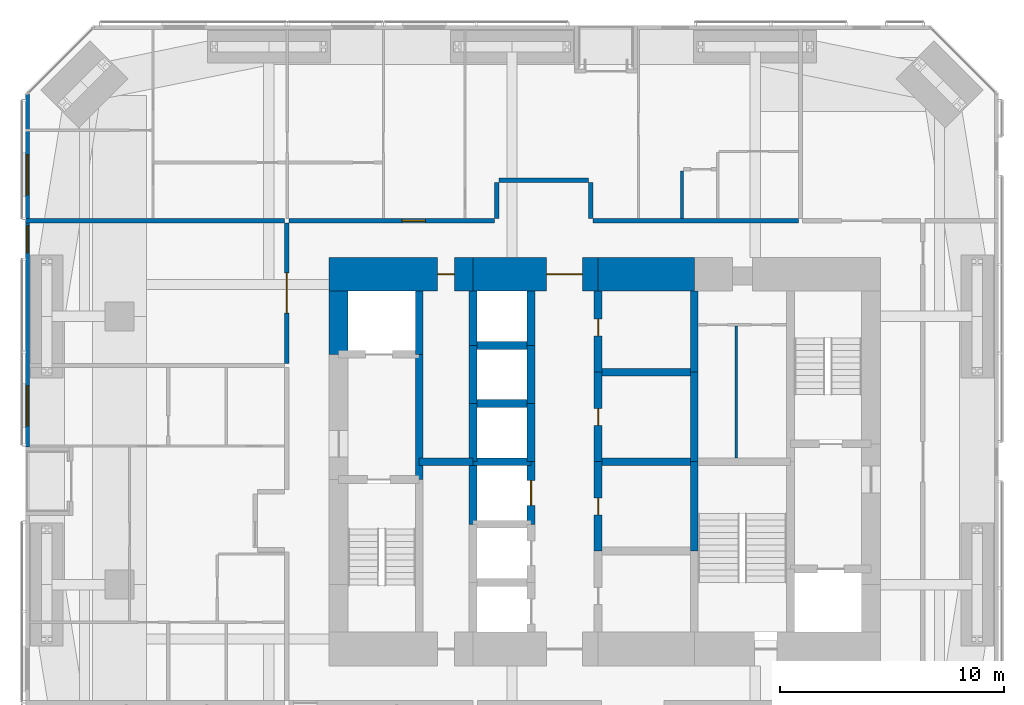
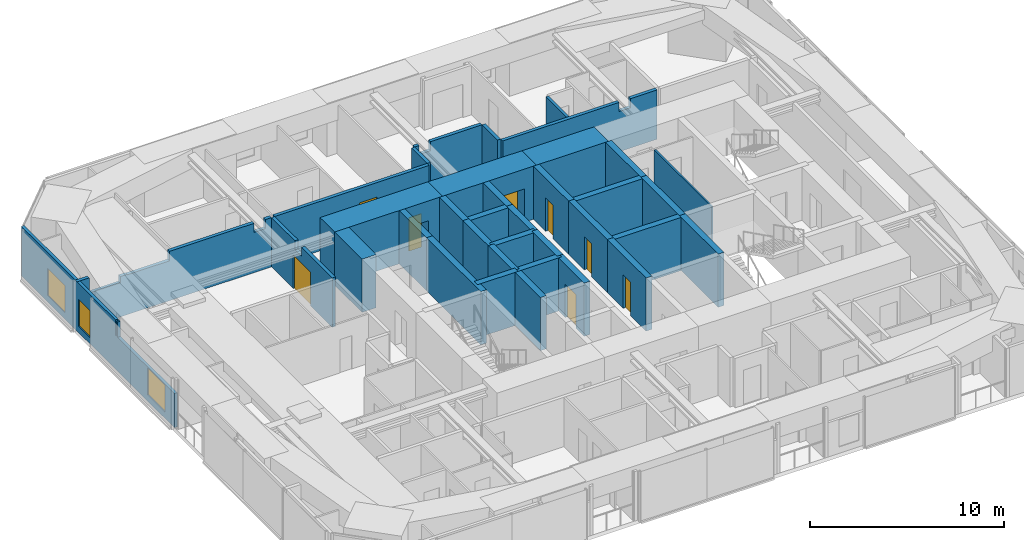
# One storey, part 19 of 23: 36 walls, 8 doors, 3 windows, 11 openings.
"""IFC4 building model written with IfcOpenShell, lengths in metres."""

from ifc_helpers import new_model, si_unit, direction, frame, frame_2d, origin, place, context, subcontext, project, spatial, polyline, rectangle, outline, extrude, material, layer, layer_set, constituent, constituent_set, type_object, element, fill, save


model = new_model("IFC4")

# Units and contexts
model_context = context("Model", 3, precision=1e-05, world=origin(), true_north=direction((0.0, 1.0)))
body_context = subcontext(model_context, "Body", "Model", "MODEL_VIEW")
ifc_project = project(units=[si_unit("LENGTHUNIT", "METRE"), si_unit("AREAUNIT", "SQUARE_METRE"), si_unit("VOLUMEUNIT", "CUBIC_METRE"), si_unit("PLANEANGLEUNIT", "RADIAN"), si_unit("MASSUNIT", "GRAM", prefix="KILO")], contexts=[model_context])

# Site, building, storey
site_placement = place(None, origin())
site = spatial("IfcSite", under=ifc_project, at=site_placement, CompositionType="ELEMENT")
building_placement = place(site_placement, origin())
building = spatial("IfcBuilding", under=site, at=building_placement, Name="Jalousie Tower", CompositionType="ELEMENT")
storey_placement = place(building_placement, frame((0.0, 0.0, 108.199951171875)))
storey = spatial("IfcBuildingStorey", under=building, at=storey_placement, Name="L29", CompositionType="ELEMENT", Elevation=108.199951171875)

# Walls
ifc_material_1 = material(Name="Concrete block ASTM C90", Category="concrete")
ifc_constituent_1 = constituent(ifc_material_1, Name="Body")
ifc_material_2 = material(Name="Render")
ifc_constituent_2 = constituent(ifc_material_2, Name="Finish")
ifc_constituent_set_1 = constituent_set(constituents=[ifc_constituent_1, ifc_constituent_2])
wall_type_1 = type_object("IfcWallType", Name="BATHROOM WALL 150", PredefinedType="PLUMBINGWALL", material=ifc_constituent_set_1)
wall_1_placement = place(storey_placement, frame((35.35009765625, 31.5, 0.0), z_axis=(0.0, 0.0, 1.0), x_axis=(0.0, -1.0, 0.0)))
element("IfcWall", 1, at=wall_1_placement, inside=storey, type_object=wall_type_1, Name="Bathroom Wall 150 L29", PredefinedType="PLUMBINGWALL", context=body_context, shape_type="SweptSolid", body=[
    extrude(rectangle(XDim=2.125, YDim=0.14990234375, at=frame_2d((1.0625, 0.0))), origin(), (0.0, 0.0, 1.0), 3.110107421875),
])
ifc_material_3 = material(Name="Concrete f'c 120 MPa", Category="concrete")
ifc_layer_1 = layer(ifc_material_3, 1.5)
ifc_layer_set_1 = layer_set([ifc_layer_1], Name="Concrete f'c 120 MPa")
wall_type_2 = type_object("IfcWallType", Name="CORE WALL 1500", PredefinedType="SHEAR", material=ifc_layer_set_1)
wall_2_placement = place(storey_placement, frame((35.89990234375, 26.875, 0.0), z_axis=(0.0, 0.0, 1.0), x_axis=(-1.0, 0.0, 0.0)))
element("IfcWall", 2, at=wall_2_placement, inside=storey, type_object=wall_type_2, Name="Core wall NB L29", PredefinedType="SHEAR", context=body_context, shape_type="SweptSolid", body=[
    extrude(rectangle(XDim=4.2998046875, YDim=1.5, at=frame_2d((2.14990234375, 0.0))), origin(), (0.0, 0.0, 1.0), 3.35009765625),
])

# Wall, opening, door
wall_3_placement = place(storey_placement, frame((31.60009765625, 26.875, 0.0), z_axis=(0.0, 0.0, 1.0), x_axis=(-1.0, 0.0, 0.0)))
wall_3 = element("IfcWall", 3, at=wall_3_placement, inside=storey, type_object=wall_type_2, Name="Core wall NC L29", PredefinedType="SHEAR", context=body_context, shape_type="SweptSolid", body=[
    extrude(rectangle(XDim=5.60009765625, YDim=1.5, at=frame_2d((2.800048828125, 0.0))), origin(), (0.0, 0.0, 1.0), 3.35009765625),
])
opening_1_placement = place(wall_3_placement, frame((0.699951171875, 0.0, 0.0)))
opening_1 = element("IfcOpeningElement", 4, at=opening_1_placement, cuts=wall_3, Name="Opening D15", PredefinedType="OPENING", context=body_context, shape_type="SweptSolid", body=[
    extrude(rectangle(XDim=1.60009765625, YDim=2.10009765625, at=frame_2d((0.800048828125, 1.050048828125))), frame((0.0, 0.760009765625, 0.0), z_axis=(0.0, -1.0, 0.0), x_axis=(1.0, 0.0, 0.0)), (0.0, 0.0, 1.0), 1.52001953125),
])
ifc_material_4 = material(Name="Steel fire door", Category="steel")
door_type_1 = type_object("IfcDoorType", Name="LIFT LOBBY DOOR 1600", OperationType="DOUBLE_DOOR_SINGLE_SWING", PredefinedType="DOOR", material=ifc_material_4)
door_1_placement = place(opening_1_placement, origin())
door_1 = element("IfcDoor", 5, at=door_1_placement, inside=storey, type_object=door_type_1, Name="Lift lobby north door", OperationType="DOUBLE_DOOR_SINGLE_SWING", OverallHeight=2.10009765625, OverallWidth=1.60009765625, PredefinedType="DOOR", context=body_context, shape_type="SweptSolid", body=[
    extrude(rectangle(XDim=1.60009765625, YDim=2.10009765625, at=frame_2d((0.800048828125, 1.050048828125))), frame((0.0, 0.02490234375, 0.0), z_axis=(0.0, -1.0, 0.0), x_axis=(1.0, 0.0, 0.0)), (0.0, 0.0, 1.0), 0.050048828125),
])
fill(opening_1, door_1)

wall_4_placement = place(storey_placement, frame((26.0, 26.875, 0.0), z_axis=(0.0, 0.0, 1.0), x_axis=(-1.0, 0.0, 0.0)))
wall_4 = element("IfcWall", 6, at=wall_4_placement, inside=storey, type_object=wall_type_2, Name="Core wall ND L29", PredefinedType="SHEAR", context=body_context, shape_type="SweptSolid", body=[
    extrude(rectangle(XDim=6.425048828125, YDim=1.5, at=frame_2d((3.21240234375, 0.0))), origin(), (0.0, 0.0, 1.0), 3.35009765625),
])
opening_2_placement = place(wall_4_placement, frame((0.824951171875, 0.0, 0.0)))
opening_2 = element("IfcOpeningElement", 7, at=opening_2_placement, cuts=wall_4, Name="Opening D16", PredefinedType="OPENING", context=body_context, shape_type="SweptSolid", body=[
    extrude(rectangle(XDim=0.75, YDim=2.10009765625, at=frame_2d((0.375, 1.050048828125))), frame((0.0, 0.760009765625, 0.0), z_axis=(0.0, -1.0, 0.0), x_axis=(1.0, 0.0, 0.0)), (0.0, 0.0, 1.0), 1.52001953125),
])
ifc_material_5 = material(Name="Steel fire door", Category="steel")
door_type_2 = type_object("IfcDoorType", Name="RISER DOOR 750", OperationType="SINGLE_SWING_LEFT", PredefinedType="DOOR", material=ifc_material_5)
door_2_placement = place(opening_2_placement, origin())
door_2 = element("IfcDoor", 8, at=door_2_placement, inside=storey, type_object=door_type_2, Name="North riser door", OperationType="SINGLE_SWING_RIGHT", OverallHeight=2.10009765625, OverallWidth=0.75, PredefinedType="DOOR", context=body_context, shape_type="SweptSolid", body=[
    extrude(rectangle(XDim=0.75, YDim=2.10009765625, at=frame_2d((0.375, 1.050048828125))), frame((0.0, 0.02490234375, 0.0), z_axis=(0.0, -1.0, 0.0), x_axis=(1.0, 0.0, 0.0)), (0.0, 0.0, 1.0), 0.050048828125),
])
fill(opening_2, door_2)

# Walls
ifc_material_6 = material(Name="Concrete f'c 120 MPa", Category="concrete")
ifc_layer_2 = layer(ifc_material_6, 0.35009765625)
ifc_layer_set_2 = layer_set([ifc_layer_2], Name="Concrete f'c 120 MPa")
wall_type_3 = type_object("IfcWallType", Name="CORE WALL 350", PredefinedType="SHEAR", material=ifc_layer_set_2)
wall_5_placement = place(storey_placement, frame((23.60009765625, 17.699951171875, 0.0), z_axis=(0.0, 0.0, 1.0), x_axis=(0.0, 1.0, 0.0)))
element("IfcWall", 9, at=wall_5_placement, inside=storey, type_object=wall_type_3, Name="Core wall X23.6B L29", PredefinedType="SHEAR", context=body_context, shape_type="SweptSolid", body=[
    extrude(rectangle(XDim=5.60009765625, YDim=0.35009765625, at=frame_2d((2.800048828125, 0.0))), origin(), (0.0, 0.0, 1.0), 3.35009765625),
])
wall_6_placement = place(storey_placement, frame((23.60009765625, 23.300048828125, 0.0), z_axis=(0.0, 0.0, 1.0), x_axis=(0.0, 1.0, 0.0)))
element("IfcWall", 10, at=wall_6_placement, inside=storey, type_object=wall_type_3, Name="Core wall X23.6C L29", PredefinedType="SHEAR", context=body_context, shape_type="SweptSolid", body=[
    extrude(rectangle(XDim=2.824951171875, YDim=0.35009765625, at=frame_2d((1.41259765625, 0.0))), origin(), (0.0, 0.0, 1.0), 3.35009765625),
])
wall_7_placement = place(storey_placement, frame((26.0, 15.699951171875, 0.0), z_axis=(0.0, 0.0, 1.0), x_axis=(0.0, 1.0, 0.0)))
element("IfcWall", 11, at=wall_7_placement, inside=storey, type_object=wall_type_3, Name="Core wall X26C L29", PredefinedType="SHEAR", context=body_context, shape_type="SweptSolid", body=[
    extrude(rectangle(XDim=2.800048828125, YDim=0.35009765625, at=frame_2d((1.39990234375, 0.0))), origin(), (0.0, 0.0, 1.0), 3.35009765625),
])
wall_8_placement = place(storey_placement, frame((26.0, 18.5, 0.0), z_axis=(0.0, 0.0, 1.0), x_axis=(0.0, 1.0, 0.0)))
element("IfcWall", 12, at=wall_8_placement, inside=storey, type_object=wall_type_3, Name="Core wall X26D L29", PredefinedType="SHEAR", context=body_context, shape_type="SweptSolid", body=[
    extrude(rectangle(XDim=2.60009765625, YDim=0.35009765625, at=frame_2d((1.300048828125, 0.0))), origin(), (0.0, 0.0, 1.0), 3.35009765625),
])
wall_9_placement = place(storey_placement, frame((26.0, 21.10009765625, 0.0), z_axis=(0.0, 0.0, 1.0), x_axis=(0.0, 1.0, 0.0)))
element("IfcWall", 13, at=wall_9_placement, inside=storey, type_object=wall_type_3, Name="Core wall X26E L29", PredefinedType="SHEAR", context=body_context, shape_type="SweptSolid", body=[
    extrude(rectangle(XDim=2.599853515625, YDim=0.35009765625, at=frame_2d((1.2998046875, 0.0))), origin(), (0.0, 0.0, 1.0), 3.35009765625),
])
wall_10_placement = place(storey_placement, frame((26.0, 23.699951171875, 0.0), z_axis=(0.0, 0.0, 1.0), x_axis=(0.0, 1.0, 0.0)))
element("IfcWall", 14, at=wall_10_placement, inside=storey, type_object=wall_type_3, Name="Core wall X26F L29", PredefinedType="SHEAR", context=body_context, shape_type="SweptSolid", body=[
    extrude(rectangle(XDim=2.425048828125, YDim=0.35009765625, at=frame_2d((1.21240234375, 0.0))), origin(), (0.0, 0.0, 1.0), 3.35009765625),
])

# Wall, opening, door
wall_11_placement = place(storey_placement, frame((28.60009765625, 15.699951171875, 0.0), z_axis=(0.0, 0.0, 1.0), x_axis=(0.0, 1.0, 0.0)))
wall_11 = element("IfcWall", 15, at=wall_11_placement, inside=storey, type_object=wall_type_3, Name="Core wall X28.6C L29", PredefinedType="SHEAR", context=body_context, shape_type="SweptSolid", body=[
    extrude(rectangle(XDim=2.800048828125, YDim=0.35009765625, at=frame_2d((1.39990234375, 0.0))), origin(), (0.0, 0.0, 1.0), 3.35009765625),
])
opening_3_placement = place(wall_11_placement, frame((0.85009765625, 0.0, 0.0)))
opening_3 = element("IfcOpeningElement", 16, at=opening_3_placement, cuts=wall_11, Name="Opening LD1", PredefinedType="OPENING", context=body_context, shape_type="SweptSolid", body=[
    extrude(rectangle(XDim=1.10009765625, YDim=2.10009765625, at=frame_2d((0.550048828125, 1.050048828125))), frame((0.0, 0.18505859375, 0.0), z_axis=(0.0, -1.0, 0.0), x_axis=(1.0, 0.0, 0.0)), (0.0, 0.0, 1.0), 0.3701171875),
])
ifc_material_7 = material(Name="Steel lift landing door", Category="steel")
door_type_3 = type_object("IfcDoorType", Name="LIFT LANDING DOOR 1100", OperationType="SLIDING_TO_LEFT", PredefinedType="DOOR", material=ifc_material_7)
door_3_placement = place(opening_3_placement, origin())
door_3 = element("IfcDoor", 17, at=door_3_placement, inside=storey, type_object=door_type_3, Name="Lift P3 landing door", OperationType="SLIDING_TO_LEFT", OverallHeight=2.10009765625, OverallWidth=1.10009765625, PredefinedType="DOOR", context=body_context, shape_type="SweptSolid", body=[
    extrude(rectangle(XDim=1.10009765625, YDim=2.10009765625, at=frame_2d((0.550048828125, 1.050048828125))), frame((0.0, 0.02490234375, 0.0), z_axis=(0.0, -1.0, 0.0), x_axis=(1.0, 0.0, 0.0)), (0.0, 0.0, 1.0), 0.050048828125),
])
fill(opening_3, door_3)

# Walls
wall_12_placement = place(storey_placement, frame((28.60009765625, 18.5, 0.0), z_axis=(0.0, 0.0, 1.0), x_axis=(0.0, 1.0, 0.0)))
element("IfcWall", 18, at=wall_12_placement, inside=storey, type_object=wall_type_3, Name="Core wall X28.6D L29", PredefinedType="SHEAR", context=body_context, shape_type="SweptSolid", body=[
    extrude(rectangle(XDim=2.60009765625, YDim=0.35009765625, at=frame_2d((1.300048828125, 0.0))), origin(), (0.0, 0.0, 1.0), 3.35009765625),
])
wall_13_placement = place(storey_placement, frame((28.60009765625, 21.10009765625, 0.0), z_axis=(0.0, 0.0, 1.0), x_axis=(0.0, 1.0, 0.0)))
element("IfcWall", 19, at=wall_13_placement, inside=storey, type_object=wall_type_3, Name="Core wall X28.6E L29", PredefinedType="SHEAR", context=body_context, shape_type="SweptSolid", body=[
    extrude(rectangle(XDim=2.599853515625, YDim=0.35009765625, at=frame_2d((1.2998046875, 0.0))), origin(), (0.0, 0.0, 1.0), 3.35009765625),
])
wall_14_placement = place(storey_placement, frame((28.60009765625, 23.699951171875, 0.0), z_axis=(0.0, 0.0, 1.0), x_axis=(0.0, 1.0, 0.0)))
element("IfcWall", 20, at=wall_14_placement, inside=storey, type_object=wall_type_3, Name="Core wall X28.6F L29", PredefinedType="SHEAR", context=body_context, shape_type="SweptSolid", body=[
    extrude(rectangle(XDim=2.425048828125, YDim=0.35009765625, at=frame_2d((1.21240234375, 0.0))), origin(), (0.0, 0.0, 1.0), 3.35009765625),
])

# Wall, opening, door
wall_15_placement = place(storey_placement, frame((31.60009765625, 14.5, 0.0), z_axis=(0.0, 0.0, 1.0), x_axis=(0.0, 1.0, 0.0)))
wall_15 = element("IfcWall", 21, at=wall_15_placement, inside=storey, type_object=wall_type_3, Name="Core wall X31.6B L29", PredefinedType="SHEAR", context=body_context, shape_type="SweptSolid", body=[
    extrude(rectangle(XDim=4.0, YDim=0.35009765625, at=frame_2d((2.0, 0.0))), origin(), (0.0, 0.0, 1.0), 3.35009765625),
])
opening_4_placement = place(wall_15_placement, frame((1.625, 0.0, 0.0)))
opening_4 = element("IfcOpeningElement", 22, at=opening_4_placement, cuts=wall_15, Name="Opening D16", PredefinedType="OPENING", context=body_context, shape_type="SweptSolid", body=[
    extrude(rectangle(XDim=0.75, YDim=2.10009765625, at=frame_2d((0.375, 1.050048828125))), frame((0.0, 0.18505859375, 0.0), z_axis=(0.0, -1.0, 0.0), x_axis=(1.0, 0.0, 0.0)), (0.0, 0.0, 1.0), 0.3701171875),
])
door_4_placement = place(opening_4_placement, frame((0.75, 0.0, 0.0), z_axis=(0.0, 0.0, 1.0), x_axis=(-1.0, 0.0, 0.0)))
door_4 = element("IfcDoor", 23, at=door_4_placement, inside=storey, type_object=door_type_2, Name="Electrical Room door", OperationType="SINGLE_SWING_RIGHT", OverallHeight=2.10009765625, OverallWidth=0.75, PredefinedType="DOOR", context=body_context, shape_type="SweptSolid", body=[
    extrude(rectangle(XDim=0.75, YDim=2.10009765625, at=frame_2d((0.375, 1.050048828125))), frame((0.0, 0.02490234375, 0.0), z_axis=(0.0, -1.0, 0.0), x_axis=(1.0, 0.0, 0.0)), (0.0, 0.0, 1.0), 0.050048828125),
])
fill(opening_4, door_4)

wall_16_placement = place(storey_placement, frame((31.60009765625, 18.5, 0.0), z_axis=(0.0, 0.0, 1.0), x_axis=(0.0, 1.0, 0.0)))
wall_16 = element("IfcWall", 24, at=wall_16_placement, inside=storey, type_object=wall_type_3, Name="Core wall X31.6C L29", PredefinedType="SHEAR", context=body_context, shape_type="SweptSolid", body=[
    extrude(rectangle(XDim=4.0, YDim=0.35009765625, at=frame_2d((2.0, 0.0))), origin(), (0.0, 0.0, 1.0), 3.35009765625),
])
opening_5_placement = place(wall_16_placement, frame((1.625, 0.0, 0.0)))
opening_5 = element("IfcOpeningElement", 25, at=opening_5_placement, cuts=wall_16, Name="Opening D16", PredefinedType="OPENING", context=body_context, shape_type="SweptSolid", body=[
    extrude(rectangle(XDim=0.75, YDim=2.10009765625, at=frame_2d((0.375, 1.050048828125))), frame((0.0, 0.18505859375, 0.0), z_axis=(0.0, -1.0, 0.0), x_axis=(1.0, 0.0, 0.0)), (0.0, 0.0, 1.0), 0.3701171875),
])
door_5_placement = place(opening_5_placement, frame((0.75, 0.0, 0.0), z_axis=(0.0, 0.0, 1.0), x_axis=(-1.0, 0.0, 0.0)))
door_5 = element("IfcDoor", 26, at=door_5_placement, inside=storey, type_object=door_type_2, Name="Telecom Room door", OperationType="SINGLE_SWING_RIGHT", OverallHeight=2.10009765625, OverallWidth=0.75, PredefinedType="DOOR", context=body_context, shape_type="SweptSolid", body=[
    extrude(rectangle(XDim=0.75, YDim=2.10009765625, at=frame_2d((0.375, 1.050048828125))), frame((0.0, 0.02490234375, 0.0), z_axis=(0.0, -1.0, 0.0), x_axis=(1.0, 0.0, 0.0)), (0.0, 0.0, 1.0), 0.050048828125),
])
fill(opening_5, door_5)

wall_17_placement = place(storey_placement, frame((31.60009765625, 22.5, 0.0), z_axis=(0.0, 0.0, 1.0), x_axis=(0.0, 1.0, 0.0)))
wall_17 = element("IfcWall", 27, at=wall_17_placement, inside=storey, type_object=wall_type_3, Name="Core wall X31.6D L29", PredefinedType="SHEAR", context=body_context, shape_type="SweptSolid", body=[
    extrude(rectangle(XDim=3.625, YDim=0.35009765625, at=frame_2d((1.8125, 0.0))), origin(), (0.0, 0.0, 1.0), 3.35009765625),
])
opening_6_placement = place(wall_17_placement, frame((1.625, 0.0, 0.0)))
opening_6 = element("IfcOpeningElement", 28, at=opening_6_placement, cuts=wall_17, Name="Opening D16", PredefinedType="OPENING", context=body_context, shape_type="SweptSolid", body=[
    extrude(rectangle(XDim=0.75, YDim=2.10009765625, at=frame_2d((0.375, 1.050048828125))), frame((0.0, 0.18505859375, 0.0), z_axis=(0.0, -1.0, 0.0), x_axis=(1.0, 0.0, 0.0)), (0.0, 0.0, 1.0), 0.3701171875),
])
door_6_placement = place(opening_6_placement, frame((0.75, 0.0, 0.0), z_axis=(0.0, 0.0, 1.0), x_axis=(-1.0, 0.0, 0.0)))
door_6 = element("IfcDoor", 29, at=door_6_placement, inside=storey, type_object=door_type_2, Name="Water Services Room door", OperationType="SINGLE_SWING_LEFT", OverallHeight=2.10009765625, OverallWidth=0.75, PredefinedType="DOOR", context=body_context, shape_type="SweptSolid", body=[
    extrude(rectangle(XDim=0.75, YDim=2.10009765625, at=frame_2d((0.375, 1.050048828125))), frame((0.0, 0.02490234375, 0.0), z_axis=(0.0, -1.0, 0.0), x_axis=(1.0, 0.0, 0.0)), (0.0, 0.0, 1.0), 0.050048828125),
])
fill(opening_6, door_6)

# Walls
for number, where, z_axis, x_axis, name in (
    (30, (35.89990234375, 14.5, 0.0), (0.0, 0.0, 1.0), (0.0, 1.0, 0.0), "Core wall X35.9B L29"),
    (31, (35.89990234375, 18.5, 0.0), (0.0, 0.0, 1.0), (0.0, 1.0, 0.0), "Core wall X35.9C L29"),
):
    element("IfcWall", number, at=place(storey_placement, frame(where, z_axis=z_axis, x_axis=x_axis)), inside=storey, type_object=wall_type_3, Name=name, PredefinedType="SHEAR", context=body_context, shape_type="SweptSolid", body=[
        extrude(rectangle(XDim=4.0, YDim=0.35009765625, at=frame_2d((2.0, 0.0))), origin(), (0.0, 0.0, 1.0), 3.35009765625),
    ])
wall_18_placement = place(storey_placement, frame((35.89990234375, 22.5, 0.0), z_axis=(0.0, 0.0, 1.0), x_axis=(0.0, 1.0, 0.0)))
element("IfcWall", 32, at=wall_18_placement, inside=storey, type_object=wall_type_3, Name="Core wall X35.9D L29", PredefinedType="SHEAR", context=body_context, shape_type="SweptSolid", body=[
    extrude(rectangle(XDim=3.625, YDim=0.35009765625, at=frame_2d((1.8125, 0.0))), origin(), (0.0, 0.0, 1.0), 3.35009765625),
])
wall_19_placement = place(storey_placement, frame((23.60009765625, 18.5, 0.0), z_axis=(0.0, 0.0, 1.0), x_axis=(1.0, 0.0, 0.0)))
element("IfcWall", 33, at=wall_19_placement, inside=storey, type_object=wall_type_3, Name="Core wall Y23.6-18.5 L29", PredefinedType="SHEAR", context=body_context, shape_type="SweptSolid", body=[
    extrude(rectangle(XDim=2.39990234375, YDim=0.35009765625, at=frame_2d((1.199951171875, 0.0))), origin(), (0.0, 0.0, 1.0), 3.35009765625),
])
for number, where, z_axis, x_axis, name in (
    (34, (26.0, 18.5, 0.0), (0.0, 0.0, 1.0), (1.0, 0.0, 0.0), "Core wall Y26-18.5 L29"),
    (35, (26.0, 21.10009765625, 0.0), (0.0, 0.0, 1.0), (1.0, 0.0, 0.0), "Core wall Y26-21.1 L29"),
    (36, (26.0, 23.699951171875, 0.0), (0.0, 0.0, 1.0), (1.0, 0.0, 0.0), "Core wall Y26-23.7 L29"),
):
    element("IfcWall", number, at=place(storey_placement, frame(where, z_axis=z_axis, x_axis=x_axis)), inside=storey, type_object=wall_type_3, Name=name, PredefinedType="SHEAR", context=body_context, shape_type="SweptSolid", body=[
        extrude(rectangle(XDim=2.60009765625, YDim=0.35009765625, at=frame_2d((1.300048828125, 0.0))), origin(), (0.0, 0.0, 1.0), 3.35009765625),
    ])
for number, where, z_axis, x_axis, name in (
    (37, (31.60009765625, 18.5, 0.0), (0.0, 0.0, 1.0), (1.0, 0.0, 0.0), "Core wall Y31.6-18.5 L29"),
    (38, (31.60009765625, 22.5, 0.0), (0.0, 0.0, 1.0), (1.0, 0.0, 0.0), "Core wall Y31.6-22.5 L29"),
):
    element("IfcWall", number, at=place(storey_placement, frame(where, z_axis=z_axis, x_axis=x_axis)), inside=storey, type_object=wall_type_3, Name=name, PredefinedType="SHEAR", context=body_context, shape_type="SweptSolid", body=[
        extrude(rectangle(XDim=4.2998046875, YDim=0.35009765625, at=frame_2d((2.14990234375, 0.0))), origin(), (0.0, 0.0, 1.0), 3.35009765625),
    ])
ifc_material_8 = material(Name="Concrete f'c 120 MPa", Category="concrete")
ifc_layer_3 = layer(ifc_material_8, 0.85009765625)
ifc_layer_set_3 = layer_set([ifc_layer_3], Name="Concrete f'c 120 MPa")
wall_type_4 = type_object("IfcWallType", Name="CORE WALL 850", PredefinedType="SHEAR", material=ifc_layer_set_3)
wall_20_placement = place(storey_placement, frame((20.0, 26.125, 0.0), z_axis=(0.0, 0.0, 1.0), x_axis=(0.0, -1.0, 0.0)))
element("IfcWall", 39, at=wall_20_placement, inside=storey, type_object=wall_type_4, Name="Core wall WA L29", PredefinedType="SHEAR", context=body_context, shape_type="SweptSolid", body=[
    extrude(rectangle(XDim=2.824951171875, YDim=0.85009765625, at=frame_2d((1.41259765625, 0.0))), origin(), (0.0, 0.0, 1.0), 3.35009765625),
])

# Wall, opening, door
ifc_material_9 = material(Name="Concrete block ASTM C90", Category="concrete")
ifc_constituent_3 = constituent(ifc_material_9, Name="Body")
ifc_material_10 = material(Name="Render")
ifc_constituent_4 = constituent(ifc_material_10, Name="Finish")
ifc_constituent_set_2 = constituent_set(constituents=[ifc_constituent_3, ifc_constituent_4])
wall_type_5 = type_object("IfcWallType", Name="CORRIDOR WALL 200", PredefinedType="PARTITIONING", material=ifc_constituent_set_2)
wall_21_placement = place(storey_placement, frame((17.77490234375, 29.27490234375, 0.0), z_axis=(0.0, 0.0, 1.0), x_axis=(1.0, 0.0, 0.0)))
wall_21 = element("IfcWall", 40, at=wall_21_placement, inside=storey, type_object=wall_type_5, Name="Corridor Wall 200 L29", PredefinedType="PARTITIONING", context=body_context, shape_type="SweptSolid", body=[
    extrude(rectangle(XDim=9.1875, YDim=0.199951171875, at=frame_2d((4.59375, 0.0))), origin(), (0.0, 0.0, 1.0), 3.110107421875),
])
opening_7_placement = place(wall_21_placement, frame((5.050048828125, 0.0, 0.0)))
opening_7 = element("IfcOpeningElement", 41, at=opening_7_placement, cuts=wall_21, Name="Opening D1", PredefinedType="OPENING", context=body_context, shape_type="SweptSolid", body=[
    extrude(rectangle(XDim=1.050048828125, YDim=2.199951171875, at=frame_2d((0.52490234375, 1.10009765625))), frame((0.0, 0.10986328125, 0.0), z_axis=(0.0, -1.0, 0.0), x_axis=(1.0, 0.0, 0.0)), (0.0, 0.0, 1.0), 0.219970703125),
])
ifc_material_11 = material(Name="Timber fire door", Category="wood")
door_type_4 = type_object("IfcDoorType", Name="APARTMENT ENTRANCE DOOR 1050", OperationType="SINGLE_SWING_LEFT", PredefinedType="DOOR", material=ifc_material_11)
door_7_placement = place(opening_7_placement, origin())
door_7 = element("IfcDoor", 42, at=door_7_placement, inside=storey, type_object=door_type_4, Name="Apartment 2904 entrance", OperationType="SINGLE_SWING_LEFT", OverallHeight=2.199951171875, OverallWidth=1.050048828125, PredefinedType="DOOR", context=body_context, shape_type="SweptSolid", body=[
    extrude(rectangle(XDim=1.050048828125, YDim=2.199951171875, at=frame_2d((0.52490234375, 1.10009765625))), frame((0.0, 0.02490234375, 0.0), z_axis=(0.0, -1.0, 0.0), x_axis=(1.0, 0.0, 0.0)), (0.0, 0.0, 1.0), 0.050048828125),
])
fill(opening_7, door_7)

wall_22_placement = place(storey_placement, frame((17.675048828125, 22.89990234375, 0.0), z_axis=(0.0, 0.0, 1.0), x_axis=(0.0, 1.0, 0.0)))
wall_22 = element("IfcWall", 43, at=wall_22_placement, inside=storey, type_object=wall_type_5, Name="Corridor Wall 200 L29", PredefinedType="PARTITIONING", context=body_context, shape_type="SweptSolid", body=[
    extrude(outline(polyline([(0.0, 0.0), (6.275146484375, 0.0), (6.27490234375, 3.110107421875), (3.8623046875, 3.110107421875), (3.8623046875, 2.541015625), (3.1875, 2.541015625), (3.1875, 3.110107421875), (0.0, 3.110107421875), (0.0, 0.0)])), frame((0.0, 0.10009765625, 0.0), z_axis=(0.0, -1.0, 0.0), x_axis=(1.0, 0.0, 0.0)), (0.0, 0.0, 1.0), 0.199951171875),
])
opening_8_placement = place(wall_22_placement, frame((2.237548828125, 0.0, 0.0)))
opening_8 = element("IfcOpeningElement", 44, at=opening_8_placement, cuts=wall_22, Name="Opening D22", PredefinedType="OPENING", context=body_context, shape_type="SweptSolid", body=[
    extrude(rectangle(XDim=1.800048828125, YDim=2.10009765625, at=frame_2d((0.89990234375, 1.050048828125))), frame((0.0, 0.10986328125, 0.0), z_axis=(0.0, -1.0, 0.0), x_axis=(1.0, 0.0, 0.0)), (0.0, 0.0, 1.0), 0.219970703125),
])
ifc_material_12 = material(Name="Timber fire door", Category="wood")
door_type_5 = type_object("IfcDoorType", Name="CORRIDOR DOUBLE DOOR 1800", OperationType="DOUBLE_DOOR_SINGLE_SWING", PredefinedType="DOOR", material=ifc_material_12)
door_8_placement = place(opening_8_placement, origin())
door_8 = element("IfcDoor", 45, at=door_8_placement, inside=storey, type_object=door_type_5, Name="Residents' library door", OperationType="DOUBLE_DOOR_SINGLE_SWING", OverallHeight=2.10009765625, OverallWidth=1.800048828125, PredefinedType="DOOR", context=body_context, shape_type="SweptSolid", body=[
    extrude(rectangle(XDim=1.800048828125, YDim=2.10009765625, at=frame_2d((0.89990234375, 1.050048828125))), frame((0.0, 0.02490234375, 0.0), z_axis=(0.0, -1.0, 0.0), x_axis=(1.0, 0.0, 0.0)), (0.0, 0.0, 1.0), 0.050048828125),
])
fill(opening_8, door_8)

# Walls
wall_23_placement = place(storey_placement, frame((31.362548828125, 29.27490234375, 0.0), z_axis=(0.0, 0.0, 1.0), x_axis=(1.0, 0.0, 0.0)))
element("IfcWall", 46, at=wall_23_placement, inside=storey, type_object=wall_type_5, Name="Corridor Wall 200 L29", PredefinedType="PARTITIONING", context=body_context, shape_type="SweptSolid", body=[
    extrude(outline(polyline([(0.0, 0.0), (9.1875, 0.0), (9.1875, 3.110107421875), (7.599853515625, 3.110107421875), (7.599853515625, 2.541015625), (6.925048828125, 2.541015625), (6.925048828125, 3.110107421875), (0.0, 3.110107421875), (0.0, 0.0)])), frame((0.0, 0.10009765625, 0.0), z_axis=(0.0, -1.0, 0.0), x_axis=(1.0, 0.0, 0.0)), (0.0, 0.0, 1.0), 0.199951171875),
])
wall_24_placement = place(storey_placement, frame((27.16259765625, 31.074951171875, 0.0), z_axis=(0.0, 0.0, 1.0), x_axis=(1.0, 0.0, 0.0)))
element("IfcWall", 47, at=wall_24_placement, inside=storey, type_object=wall_type_5, Name="Corridor Wall 200 L29", PredefinedType="PARTITIONING", context=body_context, shape_type="SweptSolid", body=[
    extrude(outline(polyline([(0.0, 0.0), (4.0, 0.0), (4.0, 3.110107421875), (0.9248046875, 3.110107421875), (0.9248046875, 2.541015625), (0.25, 2.541015625), (0.25, 3.110107421875), (0.0, 3.110107421875), (0.0, 0.0)])), frame((0.0, 0.10009765625, 0.0), z_axis=(0.0, -1.0, 0.0), x_axis=(1.0, 0.0, 0.0)), (0.0, 0.0, 1.0), 0.199951171875),
])
for number, where, z_axis, x_axis, name in (
    (48, (27.0625, 29.375, 0.0), (0.0, 0.0, 1.0), (0.0, 1.0, 0.0), "Corridor Wall 200 L29"),
    (49, (31.262451171875, 29.375, 0.0), (0.0, 0.0, 1.0), (0.0, 1.0, 0.0), "Corridor Wall 200 L29"),
):
    element("IfcWall", number, at=place(storey_placement, frame(where, z_axis=z_axis, x_axis=x_axis)), inside=storey, type_object=wall_type_5, Name=name, PredefinedType="PARTITIONING", context=body_context, shape_type="SweptSolid", body=[
        extrude(rectangle(XDim=1.60009765625, YDim=0.199951171875, at=frame_2d((0.800048828125, 0.0))), origin(), (0.0, 0.0, 1.0), 3.110107421875),
    ])

# Wall, openings, windows
ifc_material_13 = material(Name="Concrete f'c 40 MPa", Category="concrete")
ifc_constituent_5 = constituent(ifc_material_13, Name="Body")
ifc_material_14 = material(Name="Render, pastel sea green")
ifc_constituent_6 = constituent(ifc_material_14, Name="Finish")
ifc_constituent_set_3 = constituent_set(constituents=[ifc_constituent_5, ifc_constituent_6])
wall_type_6 = type_object("IfcWallType", Name="EXTERNAL WALL 175 SEA GREEN RENDER", PredefinedType="SOLIDWALL", material=ifc_constituent_set_3)
wall_25_placement = place(storey_placement, frame((6.08740234375, 34.94873046875, 0.0), z_axis=(0.0, 0.0, 1.0), x_axis=(0.0, -1.0, 0.0)))
wall_25 = element("IfcWall", 50, at=wall_25_placement, inside=storey, type_object=wall_type_6, Name="External Wall 175 Sea Green Render L29", PredefinedType="SOLIDWALL", context=body_context, shape_type="SweptSolid", body=[
    extrude(outline(polyline([(0.0, 0.0), (15.798828125, 0.0), (15.798583984375, 2.150146484375), (9.94873046875, 2.150146484375), (9.94873046875, 3.110107421875), (9.822998046875, 3.110107421875), (9.822998046875, 2.150146484375), (9.72998046875, 2.150146484375), (9.72998046875, 3.110107421875), (0.0, 3.110107421875), (0.0, 0.0)])), frame((0.0, 0.08740234375, 0.0), z_axis=(0.0, -1.0, 0.0), x_axis=(1.0, 0.0, 0.0)), (0.0, 0.0, 1.0), 0.175048828125),
])
opening_9_placement = place(wall_25_placement, frame((2.72412109375, 0.0, 0.39990234375)))
opening_9 = element("IfcOpeningElement", 51, at=opening_9_placement, cuts=wall_25, Name="Opening W-BED170", PredefinedType="OPENING", context=body_context, shape_type="SweptSolid", body=[
    extrude(rectangle(XDim=1.800048828125, YDim=1.699951171875, at=frame_2d((0.89990234375, 0.85009765625))), frame((0.0, 0.097412109375, 0.0), z_axis=(0.0, -1.0, 0.0), x_axis=(1.0, 0.0, 0.0)), (0.0, 0.0, 1.0), 0.195068359375),
])
opening_10_placement = place(wall_25_placement, frame((5.898681640625, 0.0, 0.39990234375)))
opening_10 = element("IfcOpeningElement", 52, at=opening_10_placement, cuts=wall_25, Name="Opening W-COR170", PredefinedType="OPENING", context=body_context, shape_type="SweptSolid", body=[
    extrude(rectangle(XDim=1.199951171875, YDim=1.699951171875, at=frame_2d((0.60009765625, 0.85009765625))), frame((0.0, 0.097412109375, 0.0), z_axis=(0.0, -1.0, 0.0), x_axis=(1.0, 0.0, 0.0)), (0.0, 0.0, 1.0), 0.195068359375),
])
opening_11_placement = place(wall_25_placement, frame((13.048583984375, 0.0, 0.39990234375)))
opening_11 = element("IfcOpeningElement", 53, at=opening_11_placement, cuts=wall_25, Name="Opening W-BED170", PredefinedType="OPENING", context=body_context, shape_type="SweptSolid", body=[
    extrude(rectangle(XDim=1.800048828125, YDim=1.699951171875, at=frame_2d((0.89990234375, 0.85009765625))), frame((0.0, 0.097412109375, 0.0), z_axis=(0.0, -1.0, 0.0), x_axis=(1.0, 0.0, 0.0)), (0.0, 0.0, 1.0), 0.195068359375),
])
ifc_material_15 = material(Name="Aluminium frame, impact-rated glazing", Category="aluminium")
window_type_1 = type_object("IfcWindowType", Name="WINDOW BED 1800x1700", PartitioningType="SINGLE_PANEL", PredefinedType="WINDOW", material=ifc_material_15)
window_1_placement = place(opening_9_placement, origin())
window_1 = element("IfcWindow", 54, at=window_1_placement, inside=storey, type_object=window_type_1, Name="Apartment 2904 bedroom 1 window", OverallHeight=1.699951171875, OverallWidth=1.800048828125, PartitioningType="SINGLE_PANEL", PredefinedType="WINDOW", context=body_context, shape_type="SweptSolid", body=[
    extrude(rectangle(XDim=1.800048828125, YDim=1.699951171875, at=frame_2d((0.89990234375, 0.85009765625))), frame((0.0, 0.030029296875, 0.0), z_axis=(0.0, -1.0, 0.0), x_axis=(1.0, 0.0, 0.0)), (0.0, 0.0, 1.0), 0.06005859375),
])
fill(opening_9, window_1)
window_2_placement = place(opening_11_placement, origin())
window_2 = element("IfcWindow", 55, at=window_2_placement, inside=storey, type_object=window_type_1, Name="Apartment 2905 bedroom 2 window", OverallHeight=1.699951171875, OverallWidth=1.800048828125, PartitioningType="SINGLE_PANEL", PredefinedType="WINDOW", context=body_context, shape_type="SweptSolid", body=[
    extrude(rectangle(XDim=1.800048828125, YDim=1.699951171875, at=frame_2d((0.89990234375, 0.85009765625))), frame((0.0, 0.030029296875, 0.0), z_axis=(0.0, -1.0, 0.0), x_axis=(1.0, 0.0, 0.0)), (0.0, 0.0, 1.0), 0.06005859375),
])
fill(opening_11, window_2)
ifc_material_16 = material(Name="Aluminium frame, impact-rated glazing", Category="aluminium")
window_type_2 = type_object("IfcWindowType", Name="WINDOW COR 1200x1700", PartitioningType="SINGLE_PANEL", PredefinedType="WINDOW", material=ifc_material_16)
window_3_placement = place(opening_10_placement, origin())
window_3 = element("IfcWindow", 56, at=window_3_placement, inside=storey, type_object=window_type_2, Name="Residents' library window", OverallHeight=1.699951171875, OverallWidth=1.199951171875, PartitioningType="SINGLE_PANEL", PredefinedType="WINDOW", context=body_context, shape_type="SweptSolid", body=[
    extrude(rectangle(XDim=1.199951171875, YDim=1.699951171875, at=frame_2d((0.60009765625, 0.85009765625))), frame((0.0, 0.030029296875, 0.0), z_axis=(0.0, -1.0, 0.0), x_axis=(1.0, 0.0, 0.0)), (0.0, 0.0, 1.0), 0.06005859375),
])
fill(opening_10, window_3)

# Walls
ifc_material_17 = material(Name="Gypsum board", Category="gypsum")
ifc_constituent_7 = constituent(ifc_material_17, Name="Body")
ifc_material_18 = material(Name="Light-gauge steel studs ASTM A653 SS Grade 33", Category="steel")
ifc_constituent_8 = constituent(ifc_material_18, Name="Framing")
ifc_constituent_set_4 = constituent_set(constituents=[ifc_constituent_7, ifc_constituent_8])
wall_type_7 = type_object("IfcWallType", Name="PARTITION 100", PredefinedType="PARTITIONING", material=ifc_constituent_set_4)
wall_26_placement = place(storey_placement, frame((37.77490234375, 18.675048828125, 0.0), z_axis=(0.0, 0.0, 1.0), x_axis=(0.0, 1.0, 0.0)))
element("IfcWall", 57, at=wall_26_placement, inside=storey, type_object=wall_type_7, Name="Partition 100 L29", PredefinedType="PARTITIONING", context=body_context, shape_type="SweptSolid", body=[
    extrude(rectangle(XDim=5.89990234375, YDim=0.10009765625, at=frame_2d((2.949951171875, 0.0))), origin(), (0.0, 0.0, 1.0), 3.110107421875),
])
ifc_material_19 = material(Name="Concrete block ASTM C90", Category="concrete")
ifc_constituent_9 = constituent(ifc_material_19, Name="Body")
ifc_material_20 = material(Name="Render")
ifc_constituent_10 = constituent(ifc_material_20, Name="Finish")
ifc_constituent_set_5 = constituent_set(constituents=[ifc_constituent_9, ifc_constituent_10])
wall_type_8 = type_object("IfcWallType", Name="PARTY WALL 200", PredefinedType="PARTITIONING", material=ifc_constituent_set_5)
wall_27_placement = place(storey_placement, frame((6.0, 29.27490234375, 0.0), z_axis=(0.0, 0.0, 1.0), x_axis=(1.0, 0.0, 0.0)))
element("IfcWall", 58, at=wall_27_placement, inside=storey, type_object=wall_type_8, Name="Party Wall 200 L29", PredefinedType="PARTITIONING", context=body_context, shape_type="SweptSolid", body=[
    extrude(outline(polyline([(0.0, 0.0), (11.574951171875, 0.0), (11.574951171875, 3.110107421875), (11.21240234375, 3.110107421875), (11.21240234375, 2.541015625), (10.53759765625, 2.541015625), (10.53759765625, 3.110107421875), (5.510009765625, 3.110107421875), (5.510009765625, 2.510009765625), (2.96875, 2.510009765625), (2.96875, 2.541015625), (2.565185546875, 2.541015625), (2.565185546875, 2.150146484375), (0.721435546875, 2.150146484375), (0.721435546875, 3.110107421875), (0.0, 3.110107421875), (0.0, 0.0)])), frame((0.0, 0.10009765625, 0.0), z_axis=(0.0, -1.0, 0.0), x_axis=(1.0, 0.0, 0.0)), (0.0, 0.0, 1.0), 0.199951171875),
])

save(model, "model.ifc")
